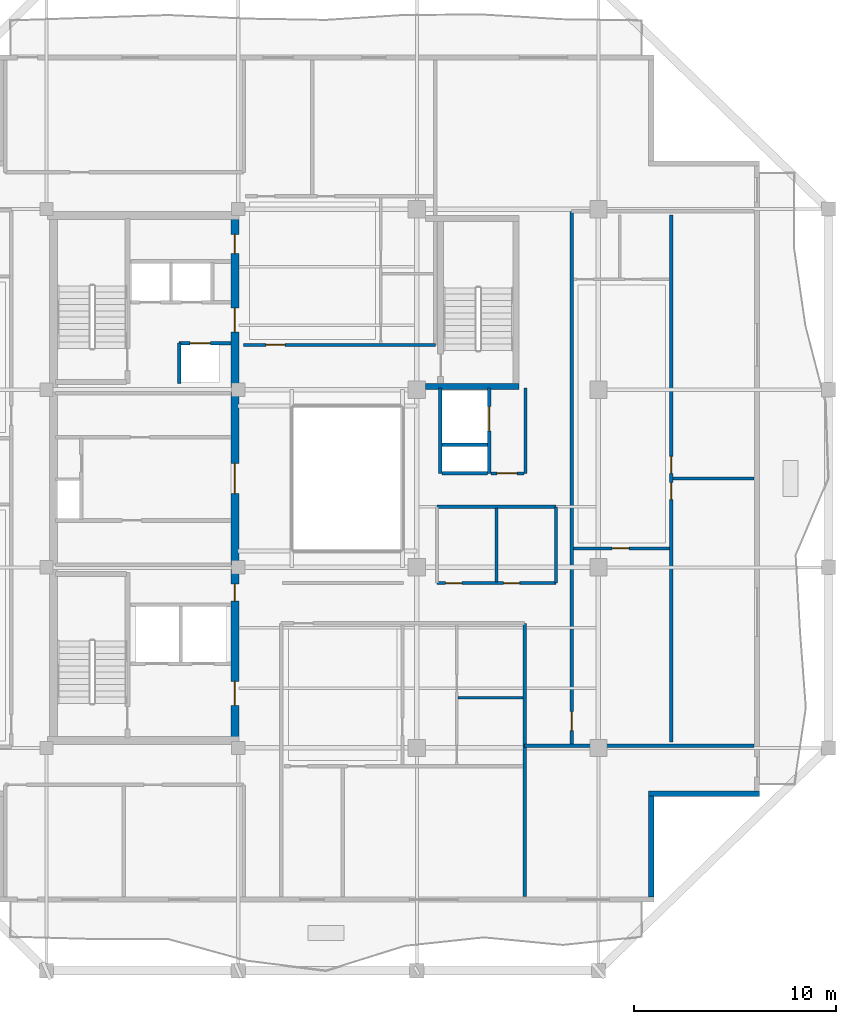
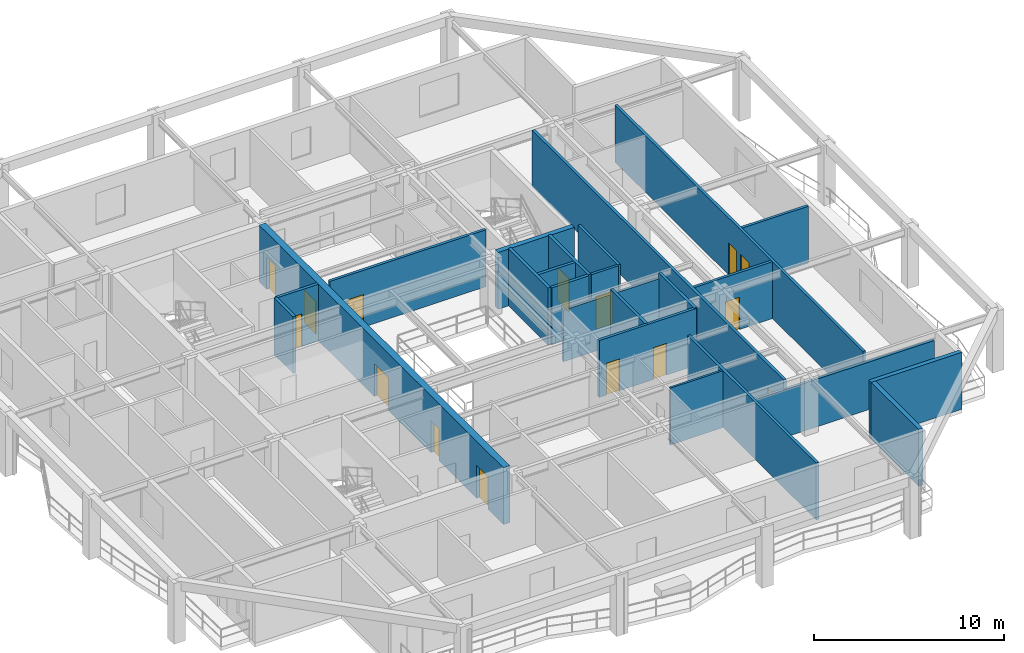
# One storey, part 4 of 11: 24 walls, 15 doors, 15 openings.
"""IFC4 building model written with IfcOpenShell, lengths in metres."""

from ifc_helpers import new_model, si_unit, direction, frame, frame_2d, origin, place, context, subcontext, project, spatial, rectangle, extrude, material, layer, layer_set, type_object, element, fill, save


model = new_model("IFC4")

# Units and contexts
model_context = context("Model", 3, precision=1e-05, world=origin(), true_north=direction((0.0, 1.0)))
body_context = subcontext(model_context, "Body", "Model", "MODEL_VIEW")
ifc_project = project(units=[si_unit("LENGTHUNIT", "METRE"), si_unit("AREAUNIT", "SQUARE_METRE"), si_unit("VOLUMEUNIT", "CUBIC_METRE"), si_unit("PLANEANGLEUNIT", "RADIAN"), si_unit("MASSUNIT", "GRAM", prefix="KILO")], contexts=[model_context])

# Site, building, storey
site_placement = place(None, origin())
site = spatial("IfcSite", under=ifc_project, at=site_placement, CompositionType="ELEMENT")
building_placement = place(site_placement, origin())
building = spatial("IfcBuilding", under=site, at=building_placement, Name="Kundavana Baori Tower", CompositionType="ELEMENT")
storey_placement = place(building_placement, frame((0.0, 0.0, 257.0)))
storey = spatial("IfcBuildingStorey", under=building, at=storey_placement, Name="L63", CompositionType="ELEMENT", Elevation=257.0)

# Wall, openings, doors
ifc_material_1 = material(Name="Concrete C50/60", Category="concrete")
ifc_layer_1 = layer(ifc_material_1, 0.39990234375, Name="WL-CORE-400")
ifc_layer_set_1 = layer_set([ifc_layer_1], Name="Concrete C50/60")
wall_type_1 = type_object("IfcWallType", Name="WL-CORE-400", PredefinedType="SHEAR", material=ifc_layer_set_1)
wall_1_placement = place(storey_placement, frame((24.780029296875, 15.739990234375, 0.0), z_axis=(0.0, 0.0, 1.0), x_axis=(0.0, 1.0, 0.0)))
wall_1 = element("IfcWall", 1, at=wall_1_placement, inside=storey, type_object=wall_type_1, Name="L63 Offset Core East Shear Wall", PredefinedType="SHEAR", context=body_context, shape_type="SweptSolid", body=[
    extrude(rectangle(XDim=25.760009765625, YDim=0.39990234375, at=frame_2d((12.8798828125, 0.0))), origin(), (0.0, 0.0, 1.0), 3.659912109375),
])
opening_1_placement = place(wall_1_placement, frame((1.610107421875, 0.0, 0.0)))
opening_1 = element("IfcOpeningElement", 2, at=opening_1_placement, cuts=wall_1, Name="Opening FD-120", PredefinedType="OPENING", context=body_context, shape_type="SweptSolid", body=[
    extrude(rectangle(XDim=1.199951171875, YDim=2.10009765625, at=frame_2d((0.60009765625, 1.050048828125))), frame((0.0, 0.2099609375, 0.0), z_axis=(0.0, -1.0, 0.0), x_axis=(1.0, 0.0, 0.0)), (0.0, 0.0, 1.0), 0.419921875),
])
opening_2_placement = place(wall_1_placement, frame((6.780029296875, 0.0, 0.0)))
opening_2 = element("IfcOpeningElement", 3, at=opening_2_placement, cuts=wall_1, Name="Opening FD-085", PredefinedType="OPENING", context=body_context, shape_type="SweptSolid", body=[
    extrude(rectangle(XDim=0.85009765625, YDim=2.06005859375, at=frame_2d((0.425048828125, 1.030029296875))), frame((0.0, 0.2099609375, 0.0), z_axis=(0.0, -1.0, 0.0), x_axis=(1.0, 0.0, 0.0)), (0.0, 0.0, 1.0), 0.419921875),
])
opening_3_placement = place(wall_1_placement, frame((12.110107421875, 0.0, 0.0)))
opening_3 = element("IfcOpeningElement", 4, at=opening_3_placement, cuts=wall_1, Name="Opening FD-150", PredefinedType="OPENING", context=body_context, shape_type="SweptSolid", body=[
    extrude(rectangle(XDim=1.5, YDim=2.1201171875, at=frame_2d((0.75, 1.06005859375))), frame((0.0, 0.2099609375, 0.0), z_axis=(0.0, -1.0, 0.0), x_axis=(1.0, 0.0, 0.0)), (0.0, 0.0, 1.0), 0.419921875),
])
opening_4_placement = place(wall_1_placement, frame((20.110107421875, 0.0, 0.0)))
opening_4 = element("IfcOpeningElement", 5, at=opening_4_placement, cuts=wall_1, Name="Opening FD-122", PredefinedType="OPENING", context=body_context, shape_type="SweptSolid", body=[
    extrude(rectangle(XDim=1.199951171875, YDim=2.1201171875, at=frame_2d((0.60009765625, 1.06005859375))), frame((0.0, 0.2099609375, 0.0), z_axis=(0.0, -1.0, 0.0), x_axis=(1.0, 0.0, 0.0)), (0.0, 0.0, 1.0), 0.419921875),
])
opening_5_placement = place(wall_1_placement, frame((24.010009765625, 0.0, 0.0)))
opening_5 = element("IfcOpeningElement", 6, at=opening_5_placement, cuts=wall_1, Name="Opening FD-095", PredefinedType="OPENING", context=body_context, shape_type="SweptSolid", body=[
    extrude(rectangle(XDim=0.949951171875, YDim=2.10009765625, at=frame_2d((0.47509765625, 1.050048828125))), frame((0.0, 0.2099609375, 0.0), z_axis=(0.0, -1.0, 0.0), x_axis=(1.0, 0.0, 0.0)), (0.0, 0.0, 1.0), 0.419921875),
])
ifc_material_2 = material(Name="Galvanised Steel Fire-Rated Door Leaf", Category="steel")
door_type_1 = type_object("IfcDoorType", Name="DR-FD120-1200", OperationType="NOTDEFINED", PredefinedType="DOOR", material=ifc_material_2)
door_1_placement = place(opening_1_placement, frame((1.199951171875, 0.0, 0.0), z_axis=(0.0, 0.0, 1.0), x_axis=(-1.0, 0.0, 0.0)))
door_1 = element("IfcDoor", 7, at=door_1_placement, inside=storey, type_object=door_type_1, Name="DR-L63-FFLOB-E", OperationType="SINGLE_SWING_RIGHT", OverallHeight=2.10009765625, OverallWidth=1.199951171875, PredefinedType="DOOR", context=body_context, shape_type="SweptSolid", body=[
    extrude(rectangle(XDim=1.199951171875, YDim=2.10009765625, at=frame_2d((0.60009765625, 1.050048828125))), frame((0.0, 0.02490234375, 0.0), z_axis=(0.0, -1.0, 0.0), x_axis=(1.0, 0.0, 0.0)), (0.0, 0.0, 1.0), 0.050048828125),
])
fill(opening_1, door_1)
ifc_material_3 = material(Name="Galvanised Steel Fire-Rated Door Leaf", Category="steel")
door_type_2 = type_object("IfcDoorType", Name="DR-FD60-1200", OperationType="NOTDEFINED", PredefinedType="DOOR", material=ifc_material_3)
door_2_placement = place(opening_4_placement, frame((1.199951171875, 0.0, 0.0), z_axis=(0.0, 0.0, 1.0), x_axis=(-1.0, 0.0, 0.0)))
door_2 = element("IfcDoor", 8, at=door_2_placement, inside=storey, type_object=door_type_2, Name="DR-L63-HRLOB-E", OperationType="SINGLE_SWING_RIGHT", OverallHeight=2.1201171875, OverallWidth=1.199951171875, PredefinedType="DOOR", context=body_context, shape_type="SweptSolid", body=[
    extrude(rectangle(XDim=1.199951171875, YDim=2.1201171875, at=frame_2d((0.60009765625, 1.06005859375))), frame((0.0, 0.02490234375, 0.0), z_axis=(0.0, -1.0, 0.0), x_axis=(1.0, 0.0, 0.0)), (0.0, 0.0, 1.0), 0.050048828125),
])
fill(opening_4, door_2)
ifc_material_4 = material(Name="Galvanised Steel Fire-Rated Door Leaf", Category="steel")
door_type_3 = type_object("IfcDoorType", Name="DR-FD60-1500", OperationType="NOTDEFINED", PredefinedType="DOOR", material=ifc_material_4)
door_3_placement = place(opening_3_placement, frame((1.5, 0.0, 0.0), z_axis=(0.0, 0.0, 1.0), x_axis=(-1.0, 0.0, 0.0)))
door_3 = element("IfcDoor", 9, at=door_3_placement, inside=storey, type_object=door_type_3, Name="DR-L63-LIFTHALL-E", OperationType="SINGLE_SWING_LEFT", OverallHeight=2.1201171875, OverallWidth=1.5, PredefinedType="DOOR", context=body_context, shape_type="SweptSolid", body=[
    extrude(rectangle(XDim=1.5, YDim=2.1201171875, at=frame_2d((0.75, 1.06005859375))), frame((0.0, 0.02490234375, 0.0), z_axis=(0.0, -1.0, 0.0), x_axis=(1.0, 0.0, 0.0)), (0.0, 0.0, 1.0), 0.050048828125),
])
fill(opening_3, door_3)
ifc_material_5 = material(Name="Galvanised Steel Fire-Rated Door Leaf", Category="steel")
door_type_4 = type_object("IfcDoorType", Name="DR-FD60-850", OperationType="NOTDEFINED", PredefinedType="DOOR", material=ifc_material_5)
door_4_placement = place(opening_2_placement, frame((0.85009765625, 0.0, 0.0), z_axis=(0.0, 0.0, 1.0), x_axis=(-1.0, 0.0, 0.0)))
door_4 = element("IfcDoor", 10, at=door_4_placement, inside=storey, type_object=door_type_4, Name="DR-L63-CSMK1", OperationType="SINGLE_SWING_LEFT", OverallHeight=2.06005859375, OverallWidth=0.85009765625, PredefinedType="DOOR", context=body_context, shape_type="SweptSolid", body=[
    extrude(rectangle(XDim=0.85009765625, YDim=2.06005859375, at=frame_2d((0.425048828125, 1.030029296875))), frame((0.0, 0.02490234375, 0.0), z_axis=(0.0, -1.0, 0.0), x_axis=(1.0, 0.0, 0.0)), (0.0, 0.0, 1.0), 0.050048828125),
])
fill(opening_2, door_4)
ifc_material_6 = material(Name="Engineered Teak Fire-Rated Timber Door Leaf", Category="wood")
door_type_5 = type_object("IfcDoorType", Name="DR-FD60-950", OperationType="NOTDEFINED", PredefinedType="DOOR", material=ifc_material_6)
door_5_placement = place(opening_5_placement, frame((0.949951171875, 0.0, 0.0), z_axis=(0.0, 0.0, 1.0), x_axis=(-1.0, 0.0, 0.0)))
door_5 = element("IfcDoor", 11, at=door_5_placement, inside=storey, type_object=door_type_5, Name="DR-L63-CSRV1", OperationType="SINGLE_SWING_LEFT", OverallHeight=2.10009765625, OverallWidth=0.949951171875, PredefinedType="DOOR", context=body_context, shape_type="SweptSolid", body=[
    extrude(rectangle(XDim=0.949951171875, YDim=2.10009765625, at=frame_2d((0.47509765625, 1.050048828125))), frame((0.0, 0.02490234375, 0.0), z_axis=(0.0, -1.0, 0.0), x_axis=(1.0, 0.0, 0.0)), (0.0, 0.0, 1.0), 0.050048828125),
])
fill(opening_5, door_5)

# Walls
ifc_material_7 = material(Name="Kiln-Fired Terracotta Brick-Slip Masonry on Concrete C40/50", Category="masonry")
ifc_layer_2 = layer(ifc_material_7, 0.260009765625, Name="WL-EXT-BRK-260")
ifc_layer_set_2 = layer_set([ifc_layer_2], Name="Kiln-Fired Terracotta Brick-Slip Masonry on Concrete C40/50")
wall_type_2 = type_object("IfcWallType", Name="WL-EXT-BRK-260", PredefinedType="SOLIDWALL", material=ifc_layer_set_2)
wall_2_placement = place(storey_placement, frame((45.419921875, 7.860107421875, 0.0), z_axis=(0.0, 0.0, 1.0), x_axis=(0.0, 1.0, 0.0)))
element("IfcWall", 12, at=wall_2_placement, inside=storey, type_object=wall_type_2, Name="L63 Exterior Insulated Facade Wall 02", PredefinedType="SOLIDWALL", context=body_context, shape_type="SweptSolid", body=[
    extrude(rectangle(XDim=4.989990234375, YDim=0.260009765625, at=frame_2d((2.4951171875, 0.0))), origin(), (0.0, 0.0, 1.0), 3.659912109375),
])
wall_3_placement = place(storey_placement, frame((45.2900390625, 12.97998046875, 0.0), z_axis=(0.0, 0.0, 1.0), x_axis=(1.0, 0.0, 0.0)))
element("IfcWall", 13, at=wall_3_placement, inside=storey, type_object=wall_type_2, Name="L63 Exterior Insulated Facade Wall 03", PredefinedType="SOLIDWALL", context=body_context, shape_type="SweptSolid", body=[
    extrude(rectangle(XDim=5.510009765625, YDim=0.260009765625, at=frame_2d((2.7548828125, 0.0))), origin(), (0.0, 0.0, 1.0), 3.659912109375),
])
ifc_material_8 = material(Name="Fire-Rated Gypsum Drywall on Galvanised Steel Studs", Category="steel")
ifc_layer_3 = layer(ifc_material_8, 0.14990234375, Name="WL-PART-150")
ifc_layer_set_3 = layer_set([ifc_layer_3], Name="Fire-Rated Gypsum Drywall on Galvanised Steel Studs")
wall_type_3 = type_object("IfcWallType", Name="WL-PART-150", PredefinedType="PARTITIONING", material=ifc_layer_set_3)
wall_4_placement = place(storey_placement, frame((39.199951171875, 28.860107421875, 0.0), z_axis=(0.0, 0.0, 1.0), x_axis=(0.0, 1.0, 0.0)))
element("IfcWall", 14, at=wall_4_placement, inside=storey, type_object=wall_type_3, Name="WL-L63-SVLOB-E", PredefinedType="PARTITIONING", context=body_context, shape_type="SweptSolid", body=[
    extrude(rectangle(XDim=4.219970703125, YDim=0.14990234375, at=frame_2d((2.10986328125, 0.0))), origin(), (0.0, 0.0, 1.0), 3.659912109375),
])

# Wall, opening, door
wall_5_placement = place(storey_placement, frame((37.47998046875, 28.860107421875, 0.0), z_axis=(0.0, 0.0, 1.0), x_axis=(1.0, 0.0, 0.0)))
wall_5 = element("IfcWall", 15, at=wall_5_placement, inside=storey, type_object=wall_type_3, Name="WL-L63-SVLOB-S", PredefinedType="PARTITIONING", context=body_context, shape_type="SweptSolid", body=[
    extrude(rectangle(XDim=1.64013671875, YDim=0.14990234375, at=frame_2d((0.820068359375, 0.0))), origin(), (0.0, 0.0, 1.0), 3.659912109375),
])
opening_6_placement = place(wall_5_placement, frame((0.300048828125, 0.0, 0.0)))
opening_6 = element("IfcOpeningElement", 16, at=opening_6_placement, cuts=wall_5, Name="Opening FD-100", PredefinedType="OPENING", context=body_context, shape_type="SweptSolid", body=[
    extrude(rectangle(XDim=1.0, YDim=2.10009765625, at=frame_2d((0.5, 1.050048828125))), frame((0.0, 0.0849609375, 0.0), z_axis=(0.0, -1.0, 0.0), x_axis=(1.0, 0.0, 0.0)), (0.0, 0.0, 1.0), 0.169921875),
])
ifc_material_9 = material(Name="Engineered Teak Fire-Rated Timber Door Leaf", Category="wood")
door_type_6 = type_object("IfcDoorType", Name="DR-FD60-1000", OperationType="NOTDEFINED", PredefinedType="DOOR", material=ifc_material_9)
door_6_placement = place(opening_6_placement, origin())
door_6 = element("IfcDoor", 17, at=door_6_placement, inside=storey, type_object=door_type_6, Name="DR-L63-SVLOB-OUT", OperationType="SINGLE_SWING_LEFT", OverallHeight=2.10009765625, OverallWidth=1.0, PredefinedType="DOOR", context=body_context, shape_type="SweptSolid", body=[
    extrude(rectangle(XDim=1.0, YDim=2.10009765625, at=frame_2d((0.5, 1.050048828125))), frame((0.0, 0.02490234375, 0.0), z_axis=(0.0, -1.0, 0.0), x_axis=(1.0, 0.0, 0.0)), (0.0, 0.0, 1.0), 0.050048828125),
])
fill(opening_6, door_6)

ifc_material_10 = material(Name="Fire-Rated Gypsum Drywall on Galvanised Steel Studs", Category="steel")
ifc_layer_4 = layer(ifc_material_10, 0.1650390625, Name="WL-PART-165")
ifc_layer_set_4 = layer_set([ifc_layer_4], Name="Fire-Rated Gypsum Drywall on Galvanised Steel Studs")
wall_type_4 = type_object("IfcWallType", Name="WL-PART-165", PredefinedType="PARTITIONING", material=ifc_layer_set_4)
wall_6_placement = place(storey_placement, frame((25.219970703125, 35.219970703125, 0.0), z_axis=(0.0, 0.0, 1.0), x_axis=(1.0, 0.0, 0.0)))
wall_6 = element("IfcWall", 18, at=wall_6_placement, inside=storey, type_object=wall_type_4, Name="WL-L63-RN", PredefinedType="PARTITIONING", context=body_context, shape_type="SweptSolid", body=[
    extrude(rectangle(XDim=9.5, YDim=0.1650390625, at=frame_2d((4.75, 0.0))), origin(), (0.0, 0.0, 1.0), 3.659912109375),
])
opening_7_placement = place(wall_6_placement, frame((1.10009765625, 0.0, 0.0)))
opening_7 = element("IfcOpeningElement", 19, at=opening_7_placement, cuts=wall_6, Name="Opening FD-095", PredefinedType="OPENING", context=body_context, shape_type="SweptSolid", body=[
    extrude(rectangle(XDim=0.949951171875, YDim=2.10009765625, at=frame_2d((0.47509765625, 1.050048828125))), frame((0.0, 0.092529296875, 0.0), z_axis=(0.0, -1.0, 0.0), x_axis=(1.0, 0.0, 0.0)), (0.0, 0.0, 1.0), 0.18505859375),
])
door_7_placement = place(opening_7_placement, origin())
door_7 = element("IfcDoor", 20, at=door_7_placement, inside=storey, type_object=door_type_5, Name="DR-L63-N1-ENT", OperationType="SINGLE_SWING_LEFT", OverallHeight=2.10009765625, OverallWidth=0.949951171875, PredefinedType="DOOR", context=body_context, shape_type="SweptSolid", body=[
    extrude(rectangle(XDim=0.949951171875, YDim=2.10009765625, at=frame_2d((0.47509765625, 1.050048828125))), frame((0.0, 0.02490234375, 0.0), z_axis=(0.0, -1.0, 0.0), x_axis=(1.0, 0.0, 0.0)), (0.0, 0.0, 1.0), 0.050048828125),
])
fill(opening_7, door_7)

# Wall
wall_7_placement = place(storey_placement, frame((39.14990234375, 7.8798828125, 0.0), z_axis=(0.0, 0.0, 1.0), x_axis=(0.0, 1.0, 0.0)))
element("IfcWall", 21, at=wall_7_placement, inside=storey, type_object=wall_type_4, Name="WL-L63-RSEND", PredefinedType="PARTITIONING", context=body_context, shape_type="SweptSolid", body=[
    extrude(rectangle(XDim=13.5400390625, YDim=0.1650390625, at=frame_2d((6.77001953125, 0.0))), origin(), (0.0, 0.0, 1.0), 3.659912109375),
])

# Wall, opening, door
wall_8_placement = place(storey_placement, frame((41.47998046875, 15.35009765625, 0.0), z_axis=(0.0, 0.0, 1.0), x_axis=(0.0, 1.0, 0.0)))
wall_8 = element("IfcWall", 22, at=wall_8_placement, inside=storey, type_object=wall_type_4, Name="WL-L63-RE", PredefinedType="PARTITIONING", context=body_context, shape_type="SweptSolid", body=[
    extrude(rectangle(XDim=26.5, YDim=0.1650390625, at=frame_2d((13.25, 0.0))), origin(), (0.0, 0.0, 1.0), 3.659912109375),
])
opening_8_placement = place(wall_8_placement, frame((0.75, 0.0, 0.0)))
opening_8 = element("IfcOpeningElement", 23, at=opening_8_placement, cuts=wall_8, Name="Opening FD-095", PredefinedType="OPENING", context=body_context, shape_type="SweptSolid", body=[
    extrude(rectangle(XDim=0.949951171875, YDim=2.10009765625, at=frame_2d((0.47509765625, 1.050048828125))), frame((0.0, 0.092529296875, 0.0), z_axis=(0.0, -1.0, 0.0), x_axis=(1.0, 0.0, 0.0)), (0.0, 0.0, 1.0), 0.18505859375),
])
door_8_placement = place(opening_8_placement, origin())
door_8 = element("IfcDoor", 24, at=door_8_placement, inside=storey, type_object=door_type_5, Name="DR-L63-E1-ENT", OperationType="SINGLE_SWING_LEFT", OverallHeight=2.10009765625, OverallWidth=0.949951171875, PredefinedType="DOOR", context=body_context, shape_type="SweptSolid", body=[
    extrude(rectangle(XDim=0.949951171875, YDim=2.10009765625, at=frame_2d((0.47509765625, 1.050048828125))), frame((0.0, 0.02490234375, 0.0), z_axis=(0.0, -1.0, 0.0), x_axis=(1.0, 0.0, 0.0)), (0.0, 0.0, 1.0), 0.050048828125),
])
fill(opening_8, door_8)

# Wall
wall_9_placement = place(storey_placement, frame((39.14990234375, 15.35009765625, 0.0), z_axis=(0.0, 0.0, 1.0), x_axis=(1.0, 0.0, 0.0)))
element("IfcWall", 25, at=wall_9_placement, inside=storey, type_object=wall_type_4, Name="WL-L63-RES", PredefinedType="PARTITIONING", context=body_context, shape_type="SweptSolid", body=[
    extrude(rectangle(XDim=11.3701171875, YDim=0.1650390625, at=frame_2d((5.68505859375, 0.0))), origin(), (0.0, 0.0, 1.0), 3.06005859375),
])

# Wall, openings, doors
wall_10_placement = place(storey_placement, frame((46.407958984375, 15.530029296875, 0.0), z_axis=(0.0, 0.0, 1.0), x_axis=(0.0, 1.0, 0.0)))
wall_10 = element("IfcWall", 26, at=wall_10_placement, inside=storey, type_object=wall_type_4, Name="WL-L63-E1-VT", PredefinedType="PARTITIONING", context=body_context, shape_type="SweptSolid", body=[
    extrude(rectangle(XDim=26.139892578125, YDim=0.1650390625, at=frame_2d((13.06982421875, 0.0))), origin(), (0.0, 0.0, 1.0), 3.659912109375),
])
opening_9_placement = place(wall_10_placement, frame((12.02001953125, 0.0, 0.0)))
opening_9 = element("IfcOpeningElement", 27, at=opening_9_placement, cuts=wall_10, Name="Opening ID-085", PredefinedType="OPENING", context=body_context, shape_type="SweptSolid", body=[
    extrude(rectangle(XDim=0.85009765625, YDim=2.080078125, at=frame_2d((0.425048828125, 1.0400390625))), frame((0.0, 0.092529296875, 0.0), z_axis=(0.0, -1.0, 0.0), x_axis=(1.0, 0.0, 0.0)), (0.0, 0.0, 1.0), 0.18505859375),
])
opening_10_placement = place(wall_10_placement, frame((13.320068359375, 0.0, 0.0)))
opening_10 = element("IfcOpeningElement", 28, at=opening_10_placement, cuts=wall_10, Name="Opening ID-085", PredefinedType="OPENING", context=body_context, shape_type="SweptSolid", body=[
    extrude(rectangle(XDim=0.85009765625, YDim=2.080078125, at=frame_2d((0.425048828125, 1.0400390625))), frame((0.0, 0.092529296875, 0.0), z_axis=(0.0, -1.0, 0.0), x_axis=(1.0, 0.0, 0.0)), (0.0, 0.0, 1.0), 0.18505859375),
])
ifc_material_11 = material(Name="Engineered Teak Solid-Core Timber Veneer", Category="wood")
door_type_7 = type_object("IfcDoorType", Name="DR-INT-850", OperationType="NOTDEFINED", PredefinedType="DOOR", material=ifc_material_11)
door_9_placement = place(opening_9_placement, origin())
door_9 = element("IfcDoor", 29, at=door_9_placement, inside=storey, type_object=door_type_7, Name="DR-L63-E1-B1", OperationType="SINGLE_SWING_LEFT", OverallHeight=2.080078125, OverallWidth=0.85009765625, PredefinedType="DOOR", context=body_context, shape_type="SweptSolid", body=[
    extrude(rectangle(XDim=0.85009765625, YDim=2.080078125, at=frame_2d((0.425048828125, 1.0400390625))), frame((0.0, 0.02490234375, 0.0), z_axis=(0.0, -1.0, 0.0), x_axis=(1.0, 0.0, 0.0)), (0.0, 0.0, 1.0), 0.050048828125),
])
fill(opening_9, door_9)
door_10_placement = place(opening_10_placement, origin())
door_10 = element("IfcDoor", 30, at=door_10_placement, inside=storey, type_object=door_type_7, Name="DR-L63-E1-B2", OperationType="SINGLE_SWING_RIGHT", OverallHeight=2.080078125, OverallWidth=0.85009765625, PredefinedType="DOOR", context=body_context, shape_type="SweptSolid", body=[
    extrude(rectangle(XDim=0.85009765625, YDim=2.080078125, at=frame_2d((0.425048828125, 1.0400390625))), frame((0.0, 0.02490234375, 0.0), z_axis=(0.0, -1.0, 0.0), x_axis=(1.0, 0.0, 0.0)), (0.0, 0.0, 1.0), 0.050048828125),
])
fill(opening_10, door_10)

# Wall, opening, door
wall_11_placement = place(storey_placement, frame((41.580078125, 25.131103515625, 0.0), z_axis=(0.0, 0.0, 1.0), x_axis=(1.0, 0.0, 0.0)))
wall_11 = element("IfcWall", 31, at=wall_11_placement, inside=storey, type_object=wall_type_4, Name="WL-L63-E1-STH", PredefinedType="PARTITIONING", context=body_context, shape_type="SweptSolid", body=[
    extrude(rectangle(XDim=4.747802734375, YDim=0.1650390625, at=frame_2d((2.3740234375, 0.0))), origin(), (0.0, 0.0, 1.0), 3.659912109375),
])
opening_11_placement = place(wall_11_placement, frame((1.89990234375, 0.0, 0.0)))
opening_11 = element("IfcOpeningElement", 32, at=opening_11_placement, cuts=wall_11, Name="Opening ID-085", PredefinedType="OPENING", context=body_context, shape_type="SweptSolid", body=[
    extrude(rectangle(XDim=0.85009765625, YDim=2.080078125, at=frame_2d((0.425048828125, 1.0400390625))), frame((0.0, 0.092529296875, 0.0), z_axis=(0.0, -1.0, 0.0), x_axis=(1.0, 0.0, 0.0)), (0.0, 0.0, 1.0), 0.18505859375),
])
door_11_placement = place(opening_11_placement, frame((0.85009765625, 0.0, 0.0), z_axis=(0.0, 0.0, 1.0), x_axis=(-1.0, 0.0, 0.0)))
door_11 = element("IfcDoor", 33, at=door_11_placement, inside=storey, type_object=door_type_7, Name="DR-L63-E1-STD", OperationType="SINGLE_SWING_LEFT", OverallHeight=2.080078125, OverallWidth=0.85009765625, PredefinedType="DOOR", context=body_context, shape_type="SweptSolid", body=[
    extrude(rectangle(XDim=0.85009765625, YDim=2.080078125, at=frame_2d((0.425048828125, 1.0400390625))), frame((0.0, 0.02490234375, 0.0), z_axis=(0.0, -1.0, 0.0), x_axis=(1.0, 0.0, 0.0)), (0.0, 0.0, 1.0), 0.050048828125),
])
fill(opening_11, door_11)

# Wall
wall_12_placement = place(storey_placement, frame((46.488037109375, 28.60009765625, 0.0), z_axis=(0.0, 0.0, 1.0), x_axis=(1.0, 0.0, 0.0)))
element("IfcWall", 34, at=wall_12_placement, inside=storey, type_object=wall_type_4, Name="WL-L63-E1-BDH", PredefinedType="PARTITIONING", context=body_context, shape_type="SweptSolid", body=[
    extrude(rectangle(XDim=4.031982421875, YDim=0.1650390625, at=frame_2d((2.01611328125, 0.0))), origin(), (0.0, 0.0, 1.0), 3.659912109375),
])

# Wall, openings, doors
wall_13_placement = place(storey_placement, frame((34.800048828125, 23.419921875, 0.0), z_axis=(0.0, 0.0, 1.0), x_axis=(1.0, 0.0, 0.0)))
wall_13 = element("IfcWall", 35, at=wall_13_placement, inside=storey, type_object=wall_type_4, Name="WL-L63-ALS", PredefinedType="PARTITIONING", context=body_context, shape_type="SweptSolid", body=[
    extrude(rectangle(XDim=5.89990234375, YDim=0.1650390625, at=frame_2d((2.949951171875, 0.0))), origin(), (0.0, 0.0, 1.0), 3.659912109375),
])
opening_12_placement = place(wall_13_placement, frame((0.429931640625, 0.0, 0.0)))
opening_12 = element("IfcOpeningElement", 36, at=opening_12_placement, cuts=wall_13, Name="Opening WD-080", PredefinedType="OPENING", context=body_context, shape_type="SweptSolid", body=[
    extrude(rectangle(XDim=0.800048828125, YDim=2.050048828125, at=frame_2d((0.39990234375, 1.02490234375))), frame((0.0, 0.092529296875, 0.0), z_axis=(0.0, -1.0, 0.0), x_axis=(1.0, 0.0, 0.0)), (0.0, 0.0, 1.0), 0.18505859375),
])
opening_13_placement = place(wall_13_placement, frame((3.300048828125, 0.0, 0.0)))
opening_13 = element("IfcOpeningElement", 37, at=opening_13_placement, cuts=wall_13, Name="Opening WD-080", PredefinedType="OPENING", context=body_context, shape_type="SweptSolid", body=[
    extrude(rectangle(XDim=0.800048828125, YDim=2.050048828125, at=frame_2d((0.39990234375, 1.02490234375))), frame((0.0, 0.092529296875, 0.0), z_axis=(0.0, -1.0, 0.0), x_axis=(1.0, 0.0, 0.0)), (0.0, 0.0, 1.0), 0.18505859375),
])
ifc_material_12 = material(Name="Engineered Teak Solid-Core Timber Veneer", Category="wood")
door_type_8 = type_object("IfcDoorType", Name="DR-WET-800", OperationType="NOTDEFINED", PredefinedType="DOOR", material=ifc_material_12)
door_12_placement = place(opening_12_placement, origin())
door_12 = element("IfcDoor", 38, at=door_12_placement, inside=storey, type_object=door_type_8, Name="DR-L63-RALC1", OperationType="SINGLE_SWING_LEFT", OverallHeight=2.050048828125, OverallWidth=0.800048828125, PredefinedType="DOOR", context=body_context, shape_type="SweptSolid", body=[
    extrude(rectangle(XDim=0.800048828125, YDim=2.050048828125, at=frame_2d((0.39990234375, 1.02490234375))), frame((0.0, 0.02490234375, 0.0), z_axis=(0.0, -1.0, 0.0), x_axis=(1.0, 0.0, 0.0)), (0.0, 0.0, 1.0), 0.050048828125),
])
fill(opening_12, door_12)
door_13_placement = place(opening_13_placement, origin())
door_13 = element("IfcDoor", 39, at=door_13_placement, inside=storey, type_object=door_type_8, Name="DR-L63-RALC2", OperationType="SINGLE_SWING_LEFT", OverallHeight=2.050048828125, OverallWidth=0.800048828125, PredefinedType="DOOR", context=body_context, shape_type="SweptSolid", body=[
    extrude(rectangle(XDim=0.800048828125, YDim=2.050048828125, at=frame_2d((0.39990234375, 1.02490234375))), frame((0.0, 0.02490234375, 0.0), z_axis=(0.0, -1.0, 0.0), x_axis=(1.0, 0.0, 0.0)), (0.0, 0.0, 1.0), 0.050048828125),
])
fill(opening_13, door_13)

# Walls
wall_14_placement = place(storey_placement, frame((34.800048828125, 27.199951171875, 0.0), z_axis=(0.0, 0.0, 1.0), x_axis=(1.0, 0.0, 0.0)))
element("IfcWall", 40, at=wall_14_placement, inside=storey, type_object=wall_type_4, Name="WL-L63-ALN", PredefinedType="PARTITIONING", context=body_context, shape_type="SweptSolid", body=[
    extrude(rectangle(XDim=5.89990234375, YDim=0.1650390625, at=frame_2d((2.949951171875, 0.0))), origin(), (0.0, 0.0, 1.0), 3.31005859375),
])
wall_15_placement = place(storey_placement, frame((40.699951171875, 23.419921875, 0.0), z_axis=(0.0, 0.0, 1.0), x_axis=(0.0, 1.0, 0.0)))
element("IfcWall", 41, at=wall_15_placement, inside=storey, type_object=wall_type_4, Name="WL-L63-ALE", PredefinedType="PARTITIONING", context=body_context, shape_type="SweptSolid", body=[
    extrude(rectangle(XDim=3.780029296875, YDim=0.1650390625, at=frame_2d((1.89013671875, 0.0))), origin(), (0.0, 0.0, 1.0), 3.659912109375),
])
wall_16_placement = place(storey_placement, frame((37.75, 23.47998046875, 0.0), z_axis=(0.0, 0.0, 1.0), x_axis=(0.0, 1.0, 0.0)))
element("IfcWall", 42, at=wall_16_placement, inside=storey, type_object=wall_type_4, Name="WL-L63-ALD1", PredefinedType="PARTITIONING", context=body_context, shape_type="SweptSolid", body=[
    extrude(rectangle(XDim=3.659912109375, YDim=0.1650390625, at=frame_2d((1.830078125, 0.0))), origin(), (0.0, 0.0, 1.0), 3.659912109375),
])

# Wall, opening, door
ifc_material_13 = material(Name="Autoclaved Aerated Concrete Blockwork Masonry", Category="masonry")
ifc_layer_5 = layer(ifc_material_13, 0.179931640625, Name="WL-SHAFT-180")
ifc_layer_set_5 = layer_set([ifc_layer_5], Name="Autoclaved Aerated Concrete Blockwork Masonry")
wall_type_5 = type_object("IfcWallType", Name="WL-SHAFT-180", PredefinedType="SOLIDWALL", material=ifc_layer_set_5)
wall_17_placement = place(storey_placement, frame((22.02001953125, 35.31005859375, 0.0), z_axis=(0.0, 0.0, 1.0), x_axis=(1.0, 0.0, 0.0)))
wall_17 = element("IfcWall", 43, at=wall_17_placement, inside=storey, type_object=wall_type_5, Name="WL-L63-LP11-N", PredefinedType="SOLIDWALL", context=body_context, shape_type="SweptSolid", body=[
    extrude(rectangle(XDim=2.56005859375, YDim=0.179931640625, at=frame_2d((1.280029296875, 0.0))), origin(), (0.0, 0.0, 1.0), 3.659912109375),
])
opening_14_placement = place(wall_17_placement, frame((0.550048828125, 0.0, 0.0)))
opening_14 = element("IfcOpeningElement", 44, at=opening_14_placement, cuts=wall_17, Name="Opening LD-100", PredefinedType="OPENING", context=body_context, shape_type="SweptSolid", body=[
    extrude(rectangle(XDim=1.0, YDim=2.10009765625, at=frame_2d((0.5, 1.050048828125))), frame((0.0, 0.10009765625, 0.0), z_axis=(0.0, -1.0, 0.0), x_axis=(1.0, 0.0, 0.0)), (0.0, 0.0, 1.0), 0.199951171875),
])
ifc_material_14 = material(Name="Galvanised Steel Fire-Rated Door Leaf", Category="steel")
door_type_9 = type_object("IfcDoorType", Name="DR-SLIDE-LD1000", OperationType="NOTDEFINED", PredefinedType="DOOR", material=ifc_material_14)
door_14_placement = place(opening_14_placement, origin())
door_14 = element("IfcDoor", 45, at=door_14_placement, inside=storey, type_object=door_type_9, Name="DR-L63-LD-LP11", OperationType="DOUBLE_DOOR_SLIDING", OverallHeight=2.10009765625, OverallWidth=1.0, PredefinedType="DOOR", context=body_context, shape_type="SweptSolid", body=[
    extrude(rectangle(XDim=1.0, YDim=2.10009765625, at=frame_2d((0.5, 1.050048828125))), frame((0.0, 0.02490234375, 0.0), z_axis=(0.0, -1.0, 0.0), x_axis=(1.0, 0.0, 0.0)), (0.0, 0.0, 1.0), 0.050048828125),
])
fill(opening_14, door_14)

# Walls
wall_18_placement = place(storey_placement, frame((22.02001953125, 33.300048828125, 0.0), z_axis=(0.0, 0.0, 1.0), x_axis=(0.0, 1.0, 0.0)))
element("IfcWall", 46, at=wall_18_placement, inside=storey, type_object=wall_type_5, Name="WL-L63-LP11-W", PredefinedType="SOLIDWALL", context=body_context, shape_type="SweptSolid", body=[
    extrude(rectangle(XDim=2.010009765625, YDim=0.179931640625, at=frame_2d((1.0048828125, 0.0))), origin(), (0.0, 0.0, 1.0), 3.659912109375),
])
wall_19_placement = place(storey_placement, frame((34.9599609375, 28.860107421875, 0.0), z_axis=(0.0, 0.0, 1.0), x_axis=(0.0, 1.0, 0.0)))
element("IfcWall", 47, at=wall_19_placement, inside=storey, type_object=wall_type_5, Name="WL-L63-SVL-W", PredefinedType="SOLIDWALL", context=body_context, shape_type="SweptSolid", body=[
    extrude(rectangle(XDim=4.219970703125, YDim=0.179931640625, at=frame_2d((2.10986328125, 0.0))), origin(), (0.0, 0.0, 1.0), 3.659912109375),
])

# Wall, opening, door
wall_20_placement = place(storey_placement, frame((37.389892578125, 28.860107421875, 0.0), z_axis=(0.0, 0.0, 1.0), x_axis=(0.0, 1.0, 0.0)))
wall_20 = element("IfcWall", 48, at=wall_20_placement, inside=storey, type_object=wall_type_5, Name="WL-L63-SVL-E", PredefinedType="SOLIDWALL", context=body_context, shape_type="SweptSolid", body=[
    extrude(rectangle(XDim=4.219970703125, YDim=0.179931640625, at=frame_2d((2.10986328125, 0.0))), origin(), (0.0, 0.0, 1.0), 3.659912109375),
])
opening_15_placement = place(wall_20_placement, frame((2.10009765625, 0.0, 0.0)))
opening_15 = element("IfcOpeningElement", 49, at=opening_15_placement, cuts=wall_20, Name="Opening LD-120", PredefinedType="OPENING", context=body_context, shape_type="SweptSolid", body=[
    extrude(rectangle(XDim=1.199951171875, YDim=2.1201171875, at=frame_2d((0.60009765625, 1.06005859375))), frame((0.0, 0.10009765625, 0.0), z_axis=(0.0, -1.0, 0.0), x_axis=(1.0, 0.0, 0.0)), (0.0, 0.0, 1.0), 0.199951171875),
])
ifc_material_15 = material(Name="Galvanised Steel Fire-Rated Door Leaf", Category="steel")
door_type_10 = type_object("IfcDoorType", Name="DR-SLIDE-LD1200", OperationType="NOTDEFINED", PredefinedType="DOOR", material=ifc_material_15)
door_15_placement = place(opening_15_placement, frame((1.199951171875, 0.0, 0.0), z_axis=(0.0, 0.0, 1.0), x_axis=(-1.0, 0.0, 0.0)))
door_15 = element("IfcDoor", 50, at=door_15_placement, inside=storey, type_object=door_type_10, Name="DR-L63-LD-SVL1", OperationType="DOUBLE_DOOR_SLIDING", OverallHeight=2.1201171875, OverallWidth=1.199951171875, PredefinedType="DOOR", context=body_context, shape_type="SweptSolid", body=[
    extrude(rectangle(XDim=1.199951171875, YDim=2.1201171875, at=frame_2d((0.60009765625, 1.06005859375))), frame((0.0, 0.02490234375, 0.0), z_axis=(0.0, -1.0, 0.0), x_axis=(1.0, 0.0, 0.0)), (0.0, 0.0, 1.0), 0.050048828125),
])
fill(opening_15, door_15)

# Walls
for number, where, z_axis, x_axis, name in (
    (51, (35.050048828125, 28.860107421875, 0.0), (0.0, 0.0, 1.0), (1.0, 0.0, 0.0), "WL-L63-SVL-S"),
    (52, (35.050048828125, 30.27001953125, 0.0), (0.0, 0.0, 1.0), (1.0, 0.0, 0.0), "WL-L63-SVL-M"),
):
    element("IfcWall", number, at=place(storey_placement, frame(where, z_axis=z_axis, x_axis=x_axis)), inside=storey, type_object=wall_type_5, Name=name, PredefinedType="SOLIDWALL", context=body_context, shape_type="SweptSolid", body=[
        extrude(rectangle(XDim=2.25, YDim=0.179931640625, at=frame_2d((1.125, 0.0))), origin(), (0.0, 0.0, 1.0), 3.659912109375),
    ])
ifc_material_16 = material(Name="Concrete C50/60", Category="concrete")
ifc_layer_6 = layer(ifc_material_16, 0.300048828125, Name="WL-ST3-300")
ifc_layer_set_6 = layer_set([ifc_layer_6], Name="Concrete C50/60")
wall_type_6 = type_object("IfcWallType", Name="WL-ST3-300", PredefinedType="SHEAR", material=ifc_layer_set_6)
wall_21_placement = place(storey_placement, frame((34.22509765625, 33.159912109375, 0.0), z_axis=(0.0, 0.0, 1.0), x_axis=(1.0, 0.0, 0.0)))
element("IfcWall", 53, at=wall_21_placement, inside=storey, type_object=wall_type_6, Name="L63 Stair ST3 South Shear Wall", PredefinedType="SHEAR", context=body_context, shape_type="SweptSolid", body=[
    extrude(rectangle(XDim=4.64501953125, YDim=0.300048828125, at=frame_2d((2.322509765625, 0.0))), origin(), (0.0, 0.0, 1.0), 3.659912109375),
])
ifc_material_17 = material(Name="Autoclaved Aerated Concrete Blockwork Masonry", Category="masonry")
ifc_layer_7 = layer(ifc_material_17, 0.125, Name="WL-WET-120")
ifc_layer_set_7 = layer_set([ifc_layer_7], Name="Autoclaved Aerated Concrete Blockwork Masonry")
wall_type_7 = type_object("IfcWallType", Name="WL-WET-120", PredefinedType="PLUMBINGWALL", material=ifc_layer_set_7)
wall_22_placement = place(storey_placement, frame((35.85009765625, 17.741943359375, 0.0), z_axis=(0.0, 0.0, 1.0), x_axis=(1.0, 0.0, 0.0)))
element("IfcWall", 54, at=wall_22_placement, inside=storey, type_object=wall_type_7, Name="WL-L63-S1-BT", PredefinedType="PLUMBINGWALL", context=body_context, shape_type="SweptSolid", body=[
    extrude(rectangle(XDim=3.219970703125, YDim=0.125, at=frame_2d((1.60986328125, 0.0))), origin(), (0.0, 0.0, 1.0), 3.659912109375),
])

save(model, "model.ifc")
